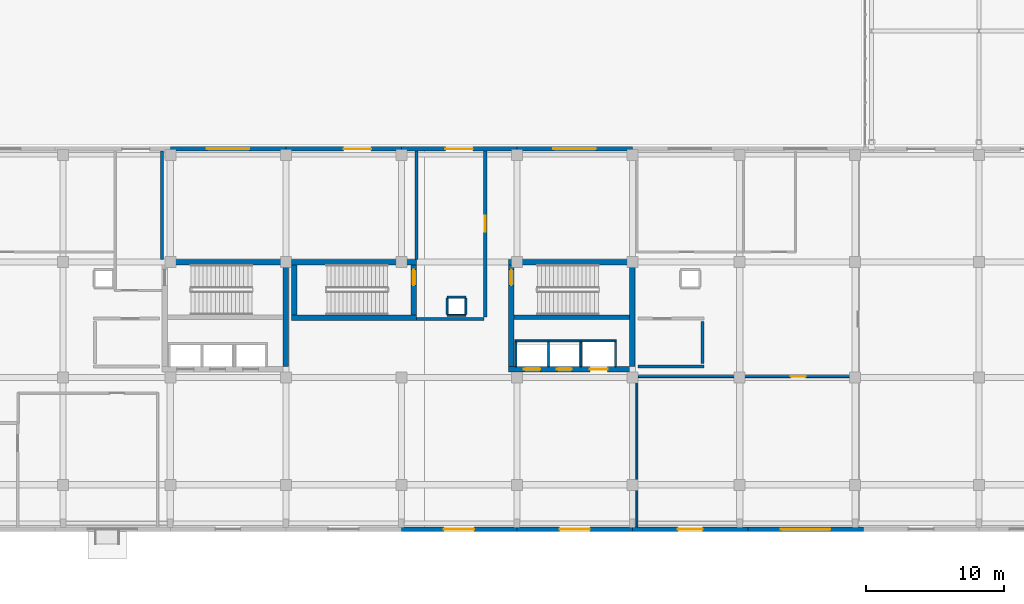
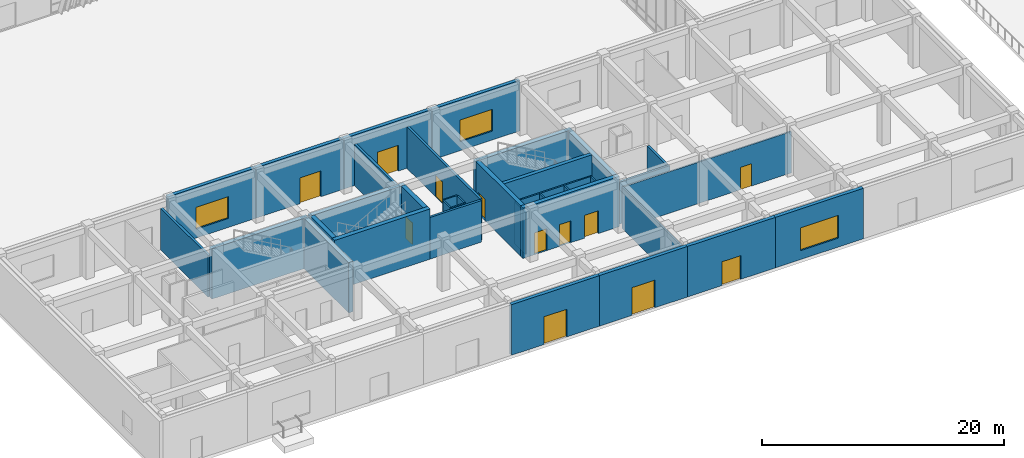
# One storey, part 92 of 122: 36 walls, 12 doors, 3 windows, 15 openings.
"""IFC4 building model written with IfcOpenShell, lengths in metres."""

import ifcopenshell
import ifcopenshell.guid

model = None  # the IFC model being written
_history = None  # IfcOwnerHistory: only IFC2X3 demands one
_inside = {}  # id of a spatial element -> (the spatial element, [elements in it])
_under = {}  # id of a project, library or spatial element -> (it, [spatial elements below it])
_declared = {}  # id of a project -> (the project, [libraries it declares])
_typed = {}  # id of a type object -> (the type object, [elements of that type])
_made_of = {}  # id of a material, layer set ... -> (it, [elements and type objects made of it])


def new_model(schema):
    """Start an empty IFC model of exactly this schema.

    Asked for "IFC4X3", IfcOpenShell would pick the latest addendum, in which some entities
    have other attributes; the version numbers below select the first issue.
    IFC2X3 requires an IfcOwnerHistory on every rooted entity: one is made here for all.
    """
    global model, _history
    if schema == "IFC4X3":
        model = ifcopenshell.file(schema_version=(4, 3, 0, 0))
    else:
        model = ifcopenshell.file(schema=schema)
    _inside.clear()
    _under.clear()
    _declared.clear()
    _typed.clear()
    _made_of.clear()
    _history = None
    if model.schema == "IFC2X3":
        org = make("IfcOrganization", Name="unknown")
        user = make(
            "IfcPersonAndOrganization",
            ThePerson=make("IfcPerson", FamilyName="unknown"),
            TheOrganization=org,
        )
        app = make(
            "IfcApplication",
            ApplicationDeveloper=org,
            Version="unknown",
            ApplicationFullName="unknown",
            ApplicationIdentifier="unknown",
        )
        _history = make(
            "IfcOwnerHistory",
            OwningUser=user,
            OwningApplication=app,
            ChangeAction="ADDED",
            CreationDate=0,
        )
    return model


def make(cls, **values):
    """One entity of the class cls with the attributes given. An attribute that is None is left unset."""
    return model.create_entity(
        cls, **{name: value for name, value in values.items() if value is not None}
    )


def rooted(cls, **values):
    """An entity with a GlobalId (a new one), such as an element, a storey or a relation."""
    return make(cls, GlobalId=ifcopenshell.guid.new(), OwnerHistory=_history, **values)


def si_unit(unit_type, name, prefix=None):
    """IfcSIUnit, for example si_unit("LENGTHUNIT", "METRE", prefix="MILLI")."""
    return make("IfcSIUnit", UnitType=unit_type, Prefix=prefix, Name=name)


def assignment(units):
    """IfcUnitAssignment: the units of a project."""
    return None if units is None else make("IfcUnitAssignment", Units=units)


def point(xyz):
    """IfcCartesianPoint."""
    return None if xyz is None else make("IfcCartesianPoint", Coordinates=xyz)


def direction(xyz):
    """IfcDirection."""
    return None if xyz is None else make("IfcDirection", DirectionRatios=xyz)


def frame(location, z_axis=None, x_axis=None):
    """IfcAxis2Placement3D, a coordinate frame: its origin and axes. An axis left out is left unset."""
    return make(
        "IfcAxis2Placement3D",
        Location=point(location),
        Axis=direction(z_axis),
        RefDirection=direction(x_axis),
    )


def frame_2d(location, x_axis=None):
    """IfcAxis2Placement2D, a coordinate frame in the plane: its origin and x axis."""
    return make(
        "IfcAxis2Placement2D", Location=point(location), RefDirection=direction(x_axis)
    )


def origin():
    """The frame at (0, 0, 0) with its axes left unset."""
    return frame((0.0, 0.0, 0.0))


def place(relative_to, where):
    """IfcLocalPlacement: puts the frame where relative to a parent placement (None: the world)."""
    return make(
        "IfcLocalPlacement", PlacementRelTo=relative_to, RelativePlacement=where
    )


def context(
    kind, dimensions, precision=None, world=None, true_north=None, identifier=None
):
    """IfcGeometricRepresentationContext, for example the 3D "Model" context."""
    return make(
        "IfcGeometricRepresentationContext",
        ContextIdentifier=identifier,
        ContextType=kind,
        CoordinateSpaceDimension=dimensions,
        Precision=precision,
        WorldCoordinateSystem=world,
        TrueNorth=true_north,
    )


def subcontext(parent, identifier, kind, view, scale=None):
    """IfcGeometricRepresentationSubContext, for example "Body" below "Model"."""
    return make(
        "IfcGeometricRepresentationSubContext",
        ContextIdentifier=identifier,
        ContextType=kind,
        ParentContext=parent,
        TargetScale=scale,
        TargetView=view,
    )


def project(units=None, contexts=None):
    """IfcProject with its units and contexts."""
    return rooted(
        "IfcProject",
        Name="project",
        RepresentationContexts=contexts,
        UnitsInContext=assignment(units),
    )


def spatial(cls, under=None, at=None, **own):
    """A site, building, storey or space (cls), placed at a placement, below another one or the project."""
    s = rooted(cls, ObjectPlacement=at, **own)
    if under is not None:
        _under.setdefault(under.id(), (under, []))[1].append(s)
    return s


def profile(cls, at=None, kind="AREA", **sizes):
    """A parametric profile (cls). Its sizes go by their IFC names, for example OverallWidth=200.0."""
    return make(cls, ProfileType=kind, Position=at, **sizes)


def rectangle(**sizes):
    """IfcRectangleProfileDef."""
    return profile("IfcRectangleProfileDef", **sizes)


def extrude(swept, where, along, depth):
    """IfcExtrudedAreaSolid: the profile swept, set in the frame where, extruded along a direction by depth."""
    return make(
        "IfcExtrudedAreaSolid",
        SweptArea=swept,
        Position=where,
        ExtrudedDirection=direction(along),
        Depth=depth,
    )


def shape(context_of_items, identifier, shape_type, items):
    """IfcShapeRepresentation: the items that make up one representation, for example the "Body"."""
    return make(
        "IfcShapeRepresentation",
        ContextOfItems=context_of_items,
        RepresentationIdentifier=identifier,
        RepresentationType=shape_type,
        Items=items,
    )


def material(Name=None, Category=None):
    """IfcMaterial."""
    return make("IfcMaterial", Name=Name, Category=Category)


def layer(
    of_material, thickness, ventilated=None, Name=None, Category=None, Priority=None
):
    """IfcMaterialLayer: one layer of a wall or slab, of a material (None: an air gap)."""
    return make(
        "IfcMaterialLayer",
        Material=of_material,
        LayerThickness=thickness,
        IsVentilated=ventilated,
        Name=Name,
        Category=Category,
        Priority=Priority,
    )


def layer_set(layers, Name=None):
    """IfcMaterialLayerSet."""
    return make("IfcMaterialLayerSet", MaterialLayers=layers, LayerSetName=Name)


def made_of(thing, what):
    """Note that an element or type object is made of a material, layer set ...; save() writes the relation."""
    if what is not None:
        _made_of.setdefault(what.id(), (what, []))[1].append(thing)
    return thing


def type_object(cls, material=None, **own):
    """A type object (cls), such as IfcWallType, which elements share."""
    return made_of(rooted(cls, **own), material)


def element(
    cls,
    number,
    at=None,
    inside=None,
    cuts=None,
    type_object=None,
    material=None,
    context=None,
    identifier="Body",
    shape_type=None,
    held_by="IfcProductDefinitionShape",
    body=None,
    shapes=None,
    **own,
):
    """One element of the class cls, such as IfcWall. Its Tag is "e" and its number.

    at: its placement. inside: the storey or other place that contains it. cuts: it is an
    opening in that element (IfcRelVoidsElement). A single representation is given by context,
    identifier, shape_type and body (its items); several are given by shapes. held_by: the class
    of the entity that holds the representations. save() writes the other relations.
    """
    e = rooted(cls, Tag="e%d" % number, ObjectPlacement=at, **own)
    if body is not None:
        shapes = [shape(context, identifier, shape_type, body)]
    if shapes is not None:
        e.Representation = make(held_by, Representations=shapes)
    if inside is not None:
        _inside.setdefault(inside.id(), (inside, []))[1].append(e)
    if cuts is not None:
        rooted(
            "IfcRelVoidsElement", RelatingBuildingElement=cuts, RelatedOpeningElement=e
        )
    if type_object is not None:
        _typed.setdefault(type_object.id(), (type_object, []))[1].append(e)
    return made_of(e, material)


def fill(opening, filler):
    """IfcRelFillsElement: the door or window that sits in an opening."""
    return rooted(
        "IfcRelFillsElement",
        RelatingOpeningElement=opening,
        RelatedBuildingElement=filler,
    )


def aggregate(whole, parts):
    """IfcRelAggregates: a whole, such as a stair, and the parts it consists of."""
    return rooted("IfcRelAggregates", RelatingObject=whole, RelatedObjects=parts)


def save(model, path):
    """Write the relations noted so far, then the file.

    IfcRelAggregates (storeys below a building ...), IfcRelContainedInSpatialStructure (elements
    in a storey), IfcRelDefinesByType, IfcRelAssociatesMaterial and IfcRelDeclares: one each for
    every whole, place, type object, material and project.
    """
    for whole, parts in _under.values():
        aggregate(whole, parts)
    for where, things in _inside.values():
        rooted(
            "IfcRelContainedInSpatialStructure",
            RelatedElements=things,
            RelatingStructure=where,
        )
    for kind, things in _typed.values():
        rooted("IfcRelDefinesByType", RelatedObjects=things, RelatingType=kind)
    for what, things in _made_of.values():
        rooted("IfcRelAssociatesMaterial", RelatedObjects=things, RelatingMaterial=what)
    for by, libraries in _declared.values():
        rooted("IfcRelDeclares", RelatingContext=by, RelatedDefinitions=libraries)
    model.write(path)


model = new_model("IFC4")

# Units and contexts
model_context = context("Model", 3, precision=1e-05, world=origin(), true_north=direction((0.0, 1.0)))
body_context = subcontext(model_context, "Body", "Model", "MODEL_VIEW")
ifc_project = project(units=[si_unit("LENGTHUNIT", "METRE"), si_unit("AREAUNIT", "SQUARE_METRE"), si_unit("VOLUMEUNIT", "CUBIC_METRE"), si_unit("PLANEANGLEUNIT", "RADIAN"), si_unit("MASSUNIT", "GRAM", prefix="KILO")], contexts=[model_context])

# Site, building, storey
site_placement = place(None, origin())
site = spatial("IfcSite", under=ifc_project, at=site_placement, CompositionType="ELEMENT")
building_placement = place(site_placement, origin())
building = spatial("IfcBuilding", under=site, at=building_placement, Name="Zayran Congress Hotel", CompositionType="ELEMENT")
storey_placement = place(building_placement, origin())
storey = spatial("IfcBuildingStorey", under=building, at=storey_placement, Name="L00", CompositionType="ELEMENT", Elevation=0.0)

# Wall, opening, window
ifc_material_1 = material(Name="Hajar Ma'ani limestone and insulated concrete C32/40", Category="masonry")
ifc_layer_1 = layer(ifc_material_1, 0.340087890625)
ifc_layer_set_1 = layer_set([ifc_layer_1], Name="Hajar Ma'ani limestone and insulated concrete C32/40")
wall_type_1 = type_object("IfcWallType", Name="WL-EX-340", PredefinedType="SOLIDWALL", material=ifc_layer_set_1)
wall_1_placement = place(storey_placement, frame((25.199951171875, 33.830078125, 0.0), z_axis=(0.0, 0.0, 1.0), x_axis=(1.0, 0.0, 0.0)))
wall_1 = element("IfcWall", 1, at=wall_1_placement, inside=storey, type_object=wall_type_1, Name="EW-V5-N-L00-2", PredefinedType="SOLIDWALL", context=body_context, shape_type="SweptSolid", body=[
    extrude(rectangle(XDim=8.400146484375, YDim=0.340087890625, at=frame_2d((4.2001953125, 0.0))), origin(), (0.0, 0.0, 1.0), 5.10009765625),
])
opening_1_placement = place(wall_1_placement, frame((2.64990234375, 0.0, 0.89990234375)))
opening_1 = element("IfcOpeningElement", 2, at=opening_1_placement, cuts=wall_1, Name="Opening WN-20", PredefinedType="OPENING", context=body_context, shape_type="SweptSolid", body=[
    extrude(rectangle(XDim=3.10009765625, YDim=2.199951171875, at=frame_2d((1.550048828125, 1.10009765625))), frame((0.0, 0.179931640625, 0.0), z_axis=(0.0, -1.0, 0.0), x_axis=(1.0, 0.0, 0.0)), (0.0, 0.0, 1.0), 0.360107421875),
])
ifc_material_2 = material(Name="Anodised aluminium and low-E insulated glass", Category="aluminium")
window_type_1 = type_object("IfcWindowType", Name="TP-WN-20", PartitioningType="TRIPLE_PANEL_VERTICAL", PredefinedType="WINDOW", material=ifc_material_2)
window_1_placement = place(opening_1_placement, origin())
window_1 = element("IfcWindow", 3, at=window_1_placement, inside=storey, type_object=window_type_1, Name="WIN-V5-L00N-2", OverallHeight=2.199951171875, OverallWidth=3.10009765625, PartitioningType="SINGLE_PANEL", PredefinedType="WINDOW", context=body_context, shape_type="SweptSolid", body=[
    extrude(rectangle(XDim=3.10009765625, YDim=2.199951171875, at=frame_2d((1.550048828125, 1.10009765625))), frame((0.0, 0.030029296875, 0.0), z_axis=(0.0, -1.0, 0.0), x_axis=(1.0, 0.0, 0.0)), (0.0, 0.0, 1.0), 0.06005859375),
])
fill(opening_1, window_1)

# Wall, opening, door
wall_2_placement = place(storey_placement, frame((33.60009765625, 33.830078125, 0.0), z_axis=(0.0, 0.0, 1.0), x_axis=(1.0, 0.0, 0.0)))
wall_2 = element("IfcWall", 4, at=wall_2_placement, inside=storey, type_object=wall_type_1, Name="EW-V5-N-L00-3", PredefinedType="SOLIDWALL", context=body_context, shape_type="SweptSolid", body=[
    extrude(rectangle(XDim=8.39990234375, YDim=0.340087890625, at=frame_2d((4.199951171875, 0.0))), origin(), (0.0, 0.0, 1.0), 5.10009765625),
])
opening_2_placement = place(wall_2_placement, frame((4.199951171875, 0.0, 0.0)))
opening_2 = element("IfcOpeningElement", 5, at=opening_2_placement, cuts=wall_2, Name="Opening DEX-02", PredefinedType="OPENING", context=body_context, shape_type="SweptSolid", body=[
    extrude(rectangle(XDim=2.0, YDim=2.60009765625, at=frame_2d((1.0, 1.300048828125))), frame((0.0, 0.179931640625, 0.0), z_axis=(0.0, -1.0, 0.0), x_axis=(1.0, 0.0, 0.0)), (0.0, 0.0, 1.0), 0.360107421875),
])
ifc_material_3 = material(Name="Anodised aluminium glazed entrance door", Category="aluminium")
door_type_1 = type_object("IfcDoorType", Name="TP-DEX-02", OperationType="DOUBLE_DOOR_SINGLE_SWING", PredefinedType="DOOR", material=ifc_material_3)
door_1_placement = place(opening_2_placement, origin())
door_1 = element("IfcDoor", 6, at=door_1_placement, inside=storey, type_object=door_type_1, Name="Hotel Forecourt Exit Door 37", OperationType="DOUBLE_DOOR_SINGLE_SWING", OverallHeight=2.60009765625, OverallWidth=2.0, PredefinedType="DOOR", context=body_context, shape_type="SweptSolid", body=[
    extrude(rectangle(XDim=2.0, YDim=2.60009765625, at=frame_2d((1.0, 1.300048828125))), frame((0.0, 0.02490234375, 0.0), z_axis=(0.0, -1.0, 0.0), x_axis=(1.0, 0.0, 0.0)), (0.0, 0.0, 1.0), 0.050048828125),
])
fill(opening_2, door_1)

wall_3_placement = place(storey_placement, frame((50.39990234375, 6.169921875, 0.0), z_axis=(0.0, 0.0, 1.0), x_axis=(-1.0, 0.0, 0.0)))
wall_3 = element("IfcWall", 7, at=wall_3_placement, inside=storey, type_object=wall_type_1, Name="EW-V5-S-L00-4", PredefinedType="SOLIDWALL", context=body_context, shape_type="SweptSolid", body=[
    extrude(rectangle(XDim=8.39990234375, YDim=0.340087890625, at=frame_2d((4.199951171875, 0.0))), origin(), (0.0, 0.0, 1.0), 5.10009765625),
])
opening_3_placement = place(wall_3_placement, frame((3.10009765625, 0.0, 0.0)))
opening_3 = element("IfcOpeningElement", 8, at=opening_3_placement, cuts=wall_3, Name="Opening DEX-01", PredefinedType="OPENING", context=body_context, shape_type="SweptSolid", body=[
    extrude(rectangle(XDim=2.199951171875, YDim=2.800048828125, at=frame_2d((1.10009765625, 1.39990234375))), frame((0.0, 0.179931640625, 0.0), z_axis=(0.0, -1.0, 0.0), x_axis=(1.0, 0.0, 0.0)), (0.0, 0.0, 1.0), 0.360107421875),
])
door_type_2 = type_object("IfcDoorType", Name="TP-DEX-01", OperationType="DOUBLE_DOOR_SINGLE_SWING", PredefinedType="DOOR", material=ifc_material_3)
door_2_placement = place(opening_3_placement, origin())
door_2 = element("IfcDoor", 9, at=door_2_placement, inside=storey, type_object=door_type_2, Name="Hotel South Avenue Final Exit Door 38", OperationType="DOUBLE_DOOR_SINGLE_SWING", OverallHeight=2.800048828125, OverallWidth=2.199951171875, PredefinedType="DOOR", context=body_context, shape_type="SweptSolid", body=[
    extrude(rectangle(XDim=2.199951171875, YDim=2.800048828125, at=frame_2d((1.10009765625, 1.39990234375))), frame((0.0, 0.02490234375, 0.0), z_axis=(0.0, -1.0, 0.0), x_axis=(1.0, 0.0, 0.0)), (0.0, 0.0, 1.0), 0.050048828125),
])
fill(opening_3, door_2)

wall_4_placement = place(storey_placement, frame((42.0, 33.830078125, 0.0), z_axis=(0.0, 0.0, 1.0), x_axis=(1.0, 0.0, 0.0)))
wall_4 = element("IfcWall", 10, at=wall_4_placement, inside=storey, type_object=wall_type_1, Name="EW-V5-N-L00-4", PredefinedType="SOLIDWALL", context=body_context, shape_type="SweptSolid", body=[
    extrude(rectangle(XDim=8.39990234375, YDim=0.340087890625, at=frame_2d((4.199951171875, 0.0))), origin(), (0.0, 0.0, 1.0), 5.10009765625),
])
opening_4_placement = place(wall_4_placement, frame((3.199951171875, 0.0, 0.0)))
opening_4 = element("IfcOpeningElement", 11, at=opening_4_placement, cuts=wall_4, Name="Opening DEX-02", PredefinedType="OPENING", context=body_context, shape_type="SweptSolid", body=[
    extrude(rectangle(XDim=2.0, YDim=2.60009765625, at=frame_2d((1.0, 1.300048828125))), frame((0.0, 0.179931640625, 0.0), z_axis=(0.0, -1.0, 0.0), x_axis=(1.0, 0.0, 0.0)), (0.0, 0.0, 1.0), 0.360107421875),
])
door_3_placement = place(opening_4_placement, origin())
door_3 = element("IfcDoor", 12, at=door_3_placement, inside=storey, type_object=door_type_1, Name="Hotel Forecourt Exit Door 39", OperationType="DOUBLE_DOOR_SINGLE_SWING", OverallHeight=2.60009765625, OverallWidth=2.0, PredefinedType="DOOR", context=body_context, shape_type="SweptSolid", body=[
    extrude(rectangle(XDim=2.0, YDim=2.60009765625, at=frame_2d((1.0, 1.300048828125))), frame((0.0, 0.02490234375, 0.0), z_axis=(0.0, -1.0, 0.0), x_axis=(1.0, 0.0, 0.0)), (0.0, 0.0, 1.0), 0.050048828125),
])
fill(opening_4, door_3)

wall_5_placement = place(storey_placement, frame((58.800048828125, 6.169921875, 0.0), z_axis=(0.0, 0.0, 1.0), x_axis=(-1.0, 0.0, 0.0)))
wall_5 = element("IfcWall", 13, at=wall_5_placement, inside=storey, type_object=wall_type_1, Name="EW-V5-S-L00-5", PredefinedType="SOLIDWALL", context=body_context, shape_type="SweptSolid", body=[
    extrude(rectangle(XDim=8.400146484375, YDim=0.340087890625, at=frame_2d((4.2001953125, 0.0))), origin(), (0.0, 0.0, 1.0), 5.10009765625),
])
opening_5_placement = place(wall_5_placement, frame((3.10009765625, 0.0, 0.0)))
opening_5 = element("IfcOpeningElement", 14, at=opening_5_placement, cuts=wall_5, Name="Opening DEX-01", PredefinedType="OPENING", context=body_context, shape_type="SweptSolid", body=[
    extrude(rectangle(XDim=2.199951171875, YDim=2.800048828125, at=frame_2d((1.10009765625, 1.39990234375))), frame((0.0, 0.179931640625, 0.0), z_axis=(0.0, -1.0, 0.0), x_axis=(1.0, 0.0, 0.0)), (0.0, 0.0, 1.0), 0.360107421875),
])
door_4_placement = place(opening_5_placement, origin())
door_4 = element("IfcDoor", 15, at=door_4_placement, inside=storey, type_object=door_type_2, Name="Hotel South Avenue Final Exit Door 40", OperationType="DOUBLE_DOOR_SINGLE_SWING", OverallHeight=2.800048828125, OverallWidth=2.199951171875, PredefinedType="DOOR", context=body_context, shape_type="SweptSolid", body=[
    extrude(rectangle(XDim=2.199951171875, YDim=2.800048828125, at=frame_2d((1.10009765625, 1.39990234375))), frame((0.0, 0.02490234375, 0.0), z_axis=(0.0, -1.0, 0.0), x_axis=(1.0, 0.0, 0.0)), (0.0, 0.0, 1.0), 0.050048828125),
])
fill(opening_5, door_4)

# Wall, opening, window
wall_6_placement = place(storey_placement, frame((50.39990234375, 33.830078125, 0.0), z_axis=(0.0, 0.0, 1.0), x_axis=(1.0, 0.0, 0.0)))
wall_6 = element("IfcWall", 16, at=wall_6_placement, inside=storey, type_object=wall_type_1, Name="EW-V5-N-L00-5", PredefinedType="SOLIDWALL", context=body_context, shape_type="SweptSolid", body=[
    extrude(rectangle(XDim=8.400146484375, YDim=0.340087890625, at=frame_2d((4.2001953125, 0.0))), origin(), (0.0, 0.0, 1.0), 5.10009765625),
])
opening_6_placement = place(wall_6_placement, frame((2.64990234375, 0.0, 0.89990234375)))
opening_6 = element("IfcOpeningElement", 17, at=opening_6_placement, cuts=wall_6, Name="Opening WN-20", PredefinedType="OPENING", context=body_context, shape_type="SweptSolid", body=[
    extrude(rectangle(XDim=3.10009765625, YDim=2.199951171875, at=frame_2d((1.550048828125, 1.10009765625))), frame((0.0, 0.179931640625, 0.0), z_axis=(0.0, -1.0, 0.0), x_axis=(1.0, 0.0, 0.0)), (0.0, 0.0, 1.0), 0.360107421875),
])
window_2_placement = place(opening_6_placement, origin())
window_2 = element("IfcWindow", 18, at=window_2_placement, inside=storey, type_object=window_type_1, Name="WIN-V5-L00N-5", OverallHeight=2.199951171875, OverallWidth=3.10009765625, PartitioningType="SINGLE_PANEL", PredefinedType="WINDOW", context=body_context, shape_type="SweptSolid", body=[
    extrude(rectangle(XDim=3.10009765625, YDim=2.199951171875, at=frame_2d((1.550048828125, 1.10009765625))), frame((0.0, 0.030029296875, 0.0), z_axis=(0.0, -1.0, 0.0), x_axis=(1.0, 0.0, 0.0)), (0.0, 0.0, 1.0), 0.06005859375),
])
fill(opening_6, window_2)

# Wall, opening, door
wall_7_placement = place(storey_placement, frame((67.199951171875, 6.169921875, 0.0), z_axis=(0.0, 0.0, 1.0), x_axis=(-1.0, 0.0, 0.0)))
wall_7 = element("IfcWall", 19, at=wall_7_placement, inside=storey, type_object=wall_type_1, Name="EW-V5-S-L00-6", PredefinedType="SOLIDWALL", context=body_context, shape_type="SweptSolid", body=[
    extrude(rectangle(XDim=8.39990234375, YDim=0.340087890625, at=frame_2d((4.199951171875, 0.0))), origin(), (0.0, 0.0, 1.0), 5.10009765625),
])
opening_7_placement = place(wall_7_placement, frame((3.300048828125, 0.0, 0.0)))
opening_7 = element("IfcOpeningElement", 20, at=opening_7_placement, cuts=wall_7, Name="Opening DEX-03", PredefinedType="OPENING", context=body_context, shape_type="SweptSolid", body=[
    extrude(rectangle(XDim=1.800048828125, YDim=2.39990234375, at=frame_2d((0.89990234375, 1.199951171875))), frame((0.0, 0.179931640625, 0.0), z_axis=(0.0, -1.0, 0.0), x_axis=(1.0, 0.0, 0.0)), (0.0, 0.0, 1.0), 0.360107421875),
])
ifc_material_4 = material(Name="Painted steel fire exit door assembly", Category="steel")
door_type_3 = type_object("IfcDoorType", Name="TP-DEX-03", OperationType="DOUBLE_DOOR_SINGLE_SWING", PredefinedType="DOOR", material=ifc_material_4)
door_5_placement = place(opening_7_placement, origin())
door_5 = element("IfcDoor", 21, at=door_5_placement, inside=storey, type_object=door_type_3, Name="Hotel South Avenue Final Exit Door 41", OperationType="DOUBLE_DOOR_SINGLE_SWING", OverallHeight=2.39990234375, OverallWidth=1.800048828125, PredefinedType="DOOR", context=body_context, shape_type="SweptSolid", body=[
    extrude(rectangle(XDim=1.800048828125, YDim=2.39990234375, at=frame_2d((0.89990234375, 1.199951171875))), frame((0.0, 0.02490234375, 0.0), z_axis=(0.0, -1.0, 0.0), x_axis=(1.0, 0.0, 0.0)), (0.0, 0.0, 1.0), 0.050048828125),
])
fill(opening_7, door_5)

# Wall, opening, window
wall_8_placement = place(storey_placement, frame((75.60009765625, 6.169921875, 0.0), z_axis=(0.0, 0.0, 1.0), x_axis=(-1.0, 0.0, 0.0)))
wall_8 = element("IfcWall", 22, at=wall_8_placement, inside=storey, type_object=wall_type_1, Name="EW-V5-S-L00-7", PredefinedType="SOLIDWALL", context=body_context, shape_type="SweptSolid", body=[
    extrude(rectangle(XDim=8.400146484375, YDim=0.340087890625, at=frame_2d((4.2001953125, 0.0))), origin(), (0.0, 0.0, 1.0), 5.10009765625),
])
opening_8_placement = place(wall_8_placement, frame((2.39990234375, 0.0, 0.89990234375)))
opening_8 = element("IfcOpeningElement", 23, at=opening_8_placement, cuts=wall_8, Name="Opening WN-21", PredefinedType="OPENING", context=body_context, shape_type="SweptSolid", body=[
    extrude(rectangle(XDim=3.60009765625, YDim=2.300048828125, at=frame_2d((1.800048828125, 1.14990234375))), frame((0.0, 0.179931640625, 0.0), z_axis=(0.0, -1.0, 0.0), x_axis=(1.0, 0.0, 0.0)), (0.0, 0.0, 1.0), 0.360107421875),
])
window_type_2 = type_object("IfcWindowType", Name="TP-WN-21", PartitioningType="TRIPLE_PANEL_VERTICAL", PredefinedType="WINDOW", material=ifc_material_2)
window_3_placement = place(opening_8_placement, origin())
window_3 = element("IfcWindow", 24, at=window_3_placement, inside=storey, type_object=window_type_2, Name="WIN-V5-L00S-7", OverallHeight=2.300048828125, OverallWidth=3.60009765625, PartitioningType="SINGLE_PANEL", PredefinedType="WINDOW", context=body_context, shape_type="SweptSolid", body=[
    extrude(rectangle(XDim=3.60009765625, YDim=2.300048828125, at=frame_2d((1.800048828125, 1.14990234375))), frame((0.0, 0.030029296875, 0.0), z_axis=(0.0, -1.0, 0.0), x_axis=(1.0, 0.0, 0.0)), (0.0, 0.0, 1.0), 0.06005859375),
])
fill(opening_8, window_3)

# Walls
ifc_material_5 = material(Name="Concrete C40/50", Category="concrete")
ifc_layer_2 = layer(ifc_material_5, 0.39990234375)
ifc_layer_set_2 = layer_set([ifc_layer_2], Name="Concrete C40/50")
wall_type_2 = type_object("IfcWallType", Name="WL-SH-400", PredefinedType="SHEAR", material=ifc_layer_set_2)
wall_9_placement = place(storey_placement, frame((33.800048828125, 25.5849609375, 0.0), z_axis=(0.0, 0.0, 1.0), x_axis=(-1.0, 0.0, 0.0)))
element("IfcWall", 25, at=wall_9_placement, inside=storey, type_object=wall_type_2, Name="CWALL-C-V5W-L00-N", PredefinedType="SHEAR", context=body_context, shape_type="SweptSolid", body=[
    extrude(rectangle(XDim=9.199951171875, YDim=0.39990234375, at=frame_2d((4.60009765625, 0.0))), origin(), (0.0, 0.0, 1.0), 5.080078125),
])
wall_10_placement = place(storey_placement, frame((33.60009765625, 18.0, 0.0), z_axis=(0.0, 0.0, 1.0), x_axis=(0.0, 1.0, 0.0)))
element("IfcWall", 26, at=wall_10_placement, inside=storey, type_object=wall_type_2, Name="CWALL-C-V5W-L00-E", PredefinedType="SHEAR", context=body_context, shape_type="SweptSolid", body=[
    extrude(rectangle(XDim=7.39990234375, YDim=0.39990234375, at=frame_2d((3.699951171875, 0.0))), origin(), (0.0, 0.0, 1.0), 5.080078125),
])

# Wall, openings, doors
wall_11_placement = place(storey_placement, frame((49.800048828125, 17.800048828125, 0.0), z_axis=(0.0, 0.0, 1.0), x_axis=(1.0, 0.0, 0.0)))
wall_11 = element("IfcWall", 27, at=wall_11_placement, inside=storey, type_object=wall_type_2, Name="CWALL-C-V5E-L00-S", PredefinedType="SHEAR", context=body_context, shape_type="SweptSolid", body=[
    extrude(rectangle(XDim=9.199951171875, YDim=0.39990234375, at=frame_2d((4.60009765625, 0.0))), origin(), (0.0, 0.0, 1.0), 5.080078125),
])
opening_9_placement = place(wall_11_placement, frame((1.10009765625, 0.0, 0.0)))
opening_9 = element("IfcOpeningElement", 28, at=opening_9_placement, cuts=wall_11, Name="Opening LD-FL02", PredefinedType="OPENING", context=body_context, shape_type="SweptSolid", body=[
    extrude(rectangle(XDim=1.199951171875, YDim=2.199951171875, at=frame_2d((0.60009765625, 1.10009765625))), frame((0.0, 0.2099609375, 0.0), z_axis=(0.0, -1.0, 0.0), x_axis=(1.0, 0.0, 0.0)), (0.0, 0.0, 1.0), 0.419921875),
])
opening_10_placement = place(wall_11_placement, frame((3.5, 0.0, 0.0)))
opening_10 = element("IfcOpeningElement", 29, at=opening_10_placement, cuts=wall_11, Name="Opening LD-PL03", PredefinedType="OPENING", context=body_context, shape_type="SweptSolid", body=[
    extrude(rectangle(XDim=1.10009765625, YDim=2.199951171875, at=frame_2d((0.550048828125, 1.10009765625))), frame((0.0, 0.2099609375, 0.0), z_axis=(0.0, -1.0, 0.0), x_axis=(1.0, 0.0, 0.0)), (0.0, 0.0, 1.0), 0.419921875),
])
opening_11_placement = place(wall_11_placement, frame((5.89990234375, 0.0, 0.0)))
opening_11 = element("IfcOpeningElement", 30, at=opening_11_placement, cuts=wall_11, Name="Opening LD-SV01", PredefinedType="OPENING", context=body_context, shape_type="SweptSolid", body=[
    extrude(rectangle(XDim=1.300048828125, YDim=2.300048828125, at=frame_2d((0.64990234375, 1.14990234375))), frame((0.0, 0.2099609375, 0.0), z_axis=(0.0, -1.0, 0.0), x_axis=(1.0, 0.0, 0.0)), (0.0, 0.0, 1.0), 0.419921875),
])
ifc_material_6 = material(Name="Brushed stainless steel sliding lift landing door", Category="steel")
door_type_4 = type_object("IfcDoorType", Name="TP-DR-LD-01", OperationType="DOUBLE_DOOR_SLIDING", PredefinedType="DOOR", material=ifc_material_6)
door_6_placement = place(opening_10_placement, origin())
door_6 = element("IfcDoor", 31, at=door_6_placement, inside=storey, type_object=door_type_4, Name="Lift PL-03 Sliding Landing Door L00", OperationType="DOUBLE_DOOR_SLIDING", OverallHeight=2.199951171875, OverallWidth=1.10009765625, PredefinedType="DOOR", context=body_context, shape_type="SweptSolid", body=[
    extrude(rectangle(XDim=1.10009765625, YDim=2.199951171875, at=frame_2d((0.550048828125, 1.10009765625))), frame((0.0, 0.02490234375, 0.0), z_axis=(0.0, -1.0, 0.0), x_axis=(1.0, 0.0, 0.0)), (0.0, 0.0, 1.0), 0.050048828125),
])
fill(opening_10, door_6)
ifc_material_7 = material(Name="Brushed stainless steel firefighting lift landing door", Category="steel")
door_type_5 = type_object("IfcDoorType", Name="TP-DR-LD-02", OperationType="DOUBLE_DOOR_SLIDING", PredefinedType="DOOR", material=ifc_material_7)
door_7_placement = place(opening_9_placement, origin())
door_7 = element("IfcDoor", 32, at=door_7_placement, inside=storey, type_object=door_type_5, Name="Lift FL-02 Sliding Landing Door L00", OperationType="DOUBLE_DOOR_SLIDING", OverallHeight=2.199951171875, OverallWidth=1.199951171875, PredefinedType="DOOR", context=body_context, shape_type="SweptSolid", body=[
    extrude(rectangle(XDim=1.199951171875, YDim=2.199951171875, at=frame_2d((0.60009765625, 1.10009765625))), frame((0.0, 0.02490234375, 0.0), z_axis=(0.0, -1.0, 0.0), x_axis=(1.0, 0.0, 0.0)), (0.0, 0.0, 1.0), 0.050048828125),
])
fill(opening_9, door_7)
ifc_material_8 = material(Name="Heavy-duty stainless steel service lift landing door", Category="steel")
door_type_6 = type_object("IfcDoorType", Name="TP-DR-LD-03", OperationType="DOUBLE_DOOR_SLIDING", PredefinedType="DOOR", material=ifc_material_8)
door_8_placement = place(opening_11_placement, origin())
door_8 = element("IfcDoor", 33, at=door_8_placement, inside=storey, type_object=door_type_6, Name="Lift SV-01 Sliding Landing Door L00", OperationType="DOUBLE_DOOR_SLIDING", OverallHeight=2.300048828125, OverallWidth=1.300048828125, PredefinedType="DOOR", context=body_context, shape_type="SweptSolid", body=[
    extrude(rectangle(XDim=1.300048828125, YDim=2.300048828125, at=frame_2d((0.64990234375, 1.14990234375))), frame((0.0, 0.02490234375, 0.0), z_axis=(0.0, -1.0, 0.0), x_axis=(1.0, 0.0, 0.0)), (0.0, 0.0, 1.0), 0.050048828125),
])
fill(opening_11, door_8)

# Wall
wall_12_placement = place(storey_placement, frame((59.0, 25.5849609375, 0.0), z_axis=(0.0, 0.0, 1.0), x_axis=(-1.0, 0.0, 0.0)))
element("IfcWall", 34, at=wall_12_placement, inside=storey, type_object=wall_type_2, Name="CWALL-C-V5E-L00-N", PredefinedType="SHEAR", context=body_context, shape_type="SweptSolid", body=[
    extrude(rectangle(XDim=9.199951171875, YDim=0.39990234375, at=frame_2d((4.60009765625, 0.0))), origin(), (0.0, 0.0, 1.0), 5.080078125),
])

# Wall, opening, door
wall_13_placement = place(storey_placement, frame((50.0, 25.39990234375, 0.0), z_axis=(0.0, 0.0, 1.0), x_axis=(0.0, -1.0, 0.0)))
wall_13 = element("IfcWall", 35, at=wall_13_placement, inside=storey, type_object=wall_type_2, Name="CWALL-C-V5E-L00-W", PredefinedType="SHEAR", context=body_context, shape_type="SweptSolid", body=[
    extrude(rectangle(XDim=7.39990234375, YDim=0.39990234375, at=frame_2d((3.699951171875, 0.0))), origin(), (0.0, 0.0, 1.0), 5.080078125),
])
opening_12_placement = place(wall_13_placement, frame((0.35009765625, 0.0, 0.0)))
opening_12 = element("IfcOpeningElement", 36, at=opening_12_placement, cuts=wall_13, Name="Opening DR-FD-90", PredefinedType="OPENING", context=body_context, shape_type="SweptSolid", body=[
    extrude(rectangle(XDim=1.14990234375, YDim=2.199951171875, at=frame_2d((0.574951171875, 1.10009765625))), frame((0.0, 0.2099609375, 0.0), z_axis=(0.0, -1.0, 0.0), x_axis=(1.0, 0.0, 0.0)), (0.0, 0.0, 1.0), 0.419921875),
])
ifc_material_9 = material(Name="Painted steel fire door assembly", Category="steel")
door_type_7 = type_object("IfcDoorType", Name="TP-DR-FD-90", OperationType="NOTDEFINED", PredefinedType="DOOR", material=ifc_material_9)
door_9_placement = place(opening_12_placement, origin())
door_9 = element("IfcDoor", 37, at=door_9_placement, inside=storey, type_object=door_type_7, Name="ST-02 Exit Stair Door L00", OperationType="SINGLE_SWING_LEFT", OverallHeight=2.199951171875, OverallWidth=1.14990234375, PredefinedType="DOOR", context=body_context, shape_type="SweptSolid", body=[
    extrude(rectangle(XDim=1.14990234375, YDim=2.199951171875, at=frame_2d((0.574951171875, 1.10009765625))), frame((0.0, 0.02490234375, 0.0), z_axis=(0.0, -1.0, 0.0), x_axis=(1.0, 0.0, 0.0)), (0.0, 0.0, 1.0), 0.050048828125),
])
fill(opening_12, door_9)

# Walls
wall_14_placement = place(storey_placement, frame((58.800048828125, 18.0, 0.0), z_axis=(0.0, 0.0, 1.0), x_axis=(0.0, 1.0, 0.0)))
element("IfcWall", 38, at=wall_14_placement, inside=storey, type_object=wall_type_2, Name="CWALL-C-V5E-L00-E", PredefinedType="SHEAR", context=body_context, shape_type="SweptSolid", body=[
    extrude(rectangle(XDim=7.39990234375, YDim=0.39990234375, at=frame_2d((3.699951171875, 0.0))), origin(), (0.0, 0.0, 1.0), 5.080078125),
])
for number, where, z_axis, x_axis, name in (
    (39, (34.0, 21.56005859375, 0.0), (0.0, 0.0, 1.0), (1.0, 0.0, 0.0), "CWALL-C-V5M-L00-S"),
    (40, (43.10009765625, 25.5849609375, 0.0), (0.0, 0.0, 1.0), (-1.0, 0.0, 0.0), "CWALL-C-V5M-L00-N"),
):
    element("IfcWall", number, at=place(storey_placement, frame(where, z_axis=z_axis, x_axis=x_axis)), inside=storey, type_object=wall_type_2, Name=name, PredefinedType="SHEAR", context=body_context, shape_type="SweptSolid", body=[
        extrude(rectangle(XDim=9.10009765625, YDim=0.39990234375, at=frame_2d((4.550048828125, 0.0))), origin(), (0.0, 0.0, 1.0), 5.080078125),
    ])
wall_15_placement = place(storey_placement, frame((34.199951171875, 25.39990234375, 0.0), z_axis=(0.0, 0.0, 1.0), x_axis=(0.0, -1.0, 0.0)))
element("IfcWall", 41, at=wall_15_placement, inside=storey, type_object=wall_type_2, Name="CWALL-C-V5M-L00-W", PredefinedType="SHEAR", context=body_context, shape_type="SweptSolid", body=[
    extrude(rectangle(XDim=3.639892578125, YDim=0.39990234375, at=frame_2d((1.81982421875, 0.0))), origin(), (0.0, 0.0, 1.0), 5.080078125),
])

# Wall, opening, door
wall_16_placement = place(storey_placement, frame((42.89990234375, 21.760009765625, 0.0), z_axis=(0.0, 0.0, 1.0), x_axis=(0.0, 1.0, 0.0)))
wall_16 = element("IfcWall", 42, at=wall_16_placement, inside=storey, type_object=wall_type_2, Name="CWALL-C-V5M-L00-E", PredefinedType="SHEAR", context=body_context, shape_type="SweptSolid", body=[
    extrude(rectangle(XDim=3.639892578125, YDim=0.39990234375, at=frame_2d((1.81982421875, 0.0))), origin(), (0.0, 0.0, 1.0), 5.080078125),
])
opening_13_placement = place(wall_16_placement, frame((2.139892578125, 0.0, 0.0)))
opening_13 = element("IfcOpeningElement", 43, at=opening_13_placement, cuts=wall_16, Name="Opening DR-FD-90", PredefinedType="OPENING", context=body_context, shape_type="SweptSolid", body=[
    extrude(rectangle(XDim=1.14990234375, YDim=2.199951171875, at=frame_2d((0.574951171875, 1.10009765625))), frame((0.0, 0.2099609375, 0.0), z_axis=(0.0, -1.0, 0.0), x_axis=(1.0, 0.0, 0.0)), (0.0, 0.0, 1.0), 0.419921875),
])
door_10_placement = place(opening_13_placement, origin())
door_10 = element("IfcDoor", 44, at=door_10_placement, inside=storey, type_object=door_type_7, Name="ST-13 Exit Stair Door L00", OperationType="SINGLE_SWING_RIGHT", OverallHeight=2.199951171875, OverallWidth=1.14990234375, PredefinedType="DOOR", context=body_context, shape_type="SweptSolid", body=[
    extrude(rectangle(XDim=1.14990234375, YDim=2.199951171875, at=frame_2d((0.574951171875, 1.10009765625))), frame((0.0, 0.02490234375, 0.0), z_axis=(0.0, -1.0, 0.0), x_axis=(1.0, 0.0, 0.0)), (0.0, 0.0, 1.0), 0.050048828125),
])
fill(opening_13, door_10)

# Walls
ifc_layer_3 = layer(ifc_material_5, 0.35009765625)
ifc_layer_set_3 = layer_set([ifc_layer_3], Name="Concrete C40/50")
wall_type_3 = type_object("IfcWallType", Name="WL-SH-350", PredefinedType="SHEAR", material=ifc_layer_set_3)
wall_17_placement = place(storey_placement, frame((50.199951171875, 21.5849609375, 0.0), z_axis=(0.0, 0.0, 1.0), x_axis=(1.0, 0.0, 0.0)))
element("IfcWall", 45, at=wall_17_placement, inside=storey, type_object=wall_type_3, Name="CWALL-C-V5E-L00-SPN", PredefinedType="SHEAR", context=body_context, shape_type="SweptSolid", body=[
    extrude(rectangle(XDim=8.400146484375, YDim=0.35009765625, at=frame_2d((4.2001953125, 0.0))), origin(), (0.0, 0.0, 1.0), 5.080078125),
])
ifc_material_10 = material(Name="Concrete C32/40 fire wall", Category="concrete")
ifc_layer_4 = layer(ifc_material_10, 0.219970703125)
ifc_layer_set_4 = layer_set([ifc_layer_4], Name="Concrete C32/40 fire wall")
wall_type_4 = type_object("IfcWallType", Name="WL-FF-220", PredefinedType="SOLIDWALL", material=ifc_layer_set_4)
wall_18_placement = place(storey_placement, frame((59.199951171875, 18.0, 0.0), z_axis=(0.0, 0.0, 1.0), x_axis=(1.0, 0.0, 0.0)))
element("IfcWall", 46, at=wall_18_placement, inside=storey, type_object=wall_type_4, Name="FFWL-C-V5E-L00-S", PredefinedType="SOLIDWALL", context=body_context, shape_type="SweptSolid", body=[
    extrude(rectangle(XDim=4.800048828125, YDim=0.219970703125, at=frame_2d((2.39990234375, 0.0))), origin(), (0.0, 0.0, 1.0), 4.22998046875),
])
wall_19_placement = place(storey_placement, frame((63.889892578125, 18.219970703125, 0.0), z_axis=(0.0, 0.0, 1.0), x_axis=(0.0, 1.0, 0.0)))
element("IfcWall", 47, at=wall_19_placement, inside=storey, type_object=wall_type_4, Name="FFWL-C-V5E-L00-SD", PredefinedType="SOLIDWALL", context=body_context, shape_type="SweptSolid", body=[
    extrude(rectangle(XDim=3.06005859375, YDim=0.219970703125, at=frame_2d((1.530029296875, 0.0))), origin(), (0.0, 0.0, 1.0), 4.22998046875),
])
for number, where, z_axis, x_axis, name in (
    (48, (24.60009765625, 25.800048828125, 0.0), (0.0, 0.0, 1.0), (0.0, 1.0, 0.0), "EPW-W-L00-E"),
    (49, (43.10009765625, 25.800048828125, 0.0), (0.0, 0.0, 1.0), (0.0, 1.0, 0.0), "EPW-L00-W"),
):
    element("IfcWall", number, at=place(storey_placement, frame(where, z_axis=z_axis, x_axis=x_axis)), inside=storey, type_object=wall_type_4, Name=name, PredefinedType="SOLIDWALL", context=body_context, shape_type="SweptSolid", body=[
        extrude(rectangle(XDim=7.85986328125, YDim=0.219970703125, at=frame_2d((3.929931640625, 0.0))), origin(), (0.0, 0.0, 1.0), 4.199951171875),
    ])

# Wall, opening, door
wall_20_placement = place(storey_placement, frame((48.10009765625, 21.60009765625, 0.0), z_axis=(0.0, 0.0, 1.0), x_axis=(0.0, 1.0, 0.0)))
wall_20 = element("IfcWall", 50, at=wall_20_placement, inside=storey, type_object=wall_type_4, Name="EPW-L00-E", PredefinedType="SOLIDWALL", context=body_context, shape_type="SweptSolid", body=[
    extrude(rectangle(XDim=12.059814453125, YDim=0.219970703125, at=frame_2d((6.02978515625, 0.0))), origin(), (0.0, 0.0, 1.0), 4.199951171875),
])
opening_14_placement = place(wall_20_placement, frame((6.199951171875, 0.0, 0.0)))
opening_14 = element("IfcOpeningElement", 51, at=opening_14_placement, cuts=wall_20, Name="Opening DR-FD-90", PredefinedType="OPENING", context=body_context, shape_type="SweptSolid", body=[
    extrude(rectangle(XDim=1.14990234375, YDim=2.199951171875, at=frame_2d((0.574951171875, 1.10009765625))), frame((0.0, 0.119873046875, 0.0), z_axis=(0.0, -1.0, 0.0), x_axis=(1.0, 0.0, 0.0)), (0.0, 0.0, 1.0), 0.239990234375),
])
door_11_placement = place(opening_14_placement, origin())
door_11 = element("IfcDoor", 52, at=door_11_placement, inside=storey, type_object=door_type_7, Name="Central Stair Exit Passageway Lobby Fire Door", OperationType="SINGLE_SWING_RIGHT", OverallHeight=2.199951171875, OverallWidth=1.14990234375, PredefinedType="DOOR", context=body_context, shape_type="SweptSolid", body=[
    extrude(rectangle(XDim=1.14990234375, YDim=2.199951171875, at=frame_2d((0.574951171875, 1.10009765625))), frame((0.0, 0.02490234375, 0.0), z_axis=(0.0, -1.0, 0.0), x_axis=(1.0, 0.0, 0.0)), (0.0, 0.0, 1.0), 0.050048828125),
])
fill(opening_14, door_11)

# Walls
wall_21_placement = place(storey_placement, frame((43.10009765625, 21.469970703125, 0.0), z_axis=(0.0, 0.0, 1.0), x_axis=(1.0, 0.0, 0.0)))
element("IfcWall", 53, at=wall_21_placement, inside=storey, type_object=wall_type_4, Name="EPW-L00-S", PredefinedType="SOLIDWALL", context=body_context, shape_type="SweptSolid", body=[
    extrude(rectangle(XDim=4.89990234375, YDim=0.219970703125, at=frame_2d((2.449951171875, 0.0))), origin(), (0.0, 0.0, 1.0), 4.199951171875),
])
ifc_material_11 = material(Name="Hospitality guestroom acoustic partition", Category="gypsum")
ifc_layer_5 = layer(ifc_material_11, 0.139892578125)
ifc_layer_set_5 = layer_set([ifc_layer_5], Name="Hospitality guestroom acoustic partition")
wall_type_5 = type_object("IfcWallType", Name="WL-PT-140", PredefinedType="PARTITIONING", material=ifc_layer_set_5)
for number, where, z_axis, x_axis, name in (
    (54, (50.330078125, 18.0, 0.0), (0.0, 0.0, 1.0), (0.0, 1.0, 0.0), "LSHW-C-V5E-L00-W"),
    (55, (52.699951171875, 18.0, 0.0), (0.0, 0.0, 1.0), (0.0, 1.0, 0.0), "LSHW-C-V5E-L00-DIV1"),
    (56, (55.050048828125, 18.0, 0.0), (0.0, 0.0, 1.0), (0.0, 1.0, 0.0), "LSHW-C-V5E-L00-DIV2"),
    (57, (57.570068359375, 18.0, 0.0), (0.0, 0.0, 1.0), (0.0, 1.0, 0.0), "LSHW-C-V5E-L00-E"),
):
    element("IfcWall", number, at=place(storey_placement, frame(where, z_axis=z_axis, x_axis=x_axis)), inside=storey, type_object=wall_type_5, Name=name, PredefinedType="PARTITIONING", context=body_context, shape_type="SweptSolid", body=[
        extrude(rectangle(XDim=1.800048828125, YDim=0.139892578125, at=frame_2d((0.89990234375, 0.0))), origin(), (0.0, 0.0, 1.0), 4.22998046875),
    ])
wall_22_placement = place(storey_placement, frame((50.260009765625, 19.8701171875, 0.0), z_axis=(0.0, 0.0, 1.0), x_axis=(1.0, 0.0, 0.0)))
element("IfcWall", 58, at=wall_22_placement, inside=storey, type_object=wall_type_5, Name="LSHW-C-V5E-L00-N", PredefinedType="PARTITIONING", context=body_context, shape_type="SweptSolid", body=[
    extrude(rectangle(XDim=7.3798828125, YDim=0.139892578125, at=frame_2d((3.68994140625, 0.0))), origin(), (0.0, 0.0, 1.0), 4.22998046875),
])

# Wall, opening, door
wall_23_placement = place(storey_placement, frame((59.1201171875, 17.27001953125, 0.0), z_axis=(0.0, 0.0, 1.0), x_axis=(1.0, 0.0, 0.0)))
wall_23 = element("IfcWall", 59, at=wall_23_placement, inside=storey, type_object=wall_type_5, Name="IW-L00-0413", PredefinedType="PARTITIONING", context=body_context, shape_type="SweptSolid", body=[
    extrude(rectangle(XDim=16.059814453125, YDim=0.139892578125, at=frame_2d((8.02978515625, 0.0))), origin(), (0.0, 0.0, 1.0), 4.179931640625),
])
opening_15_placement = place(wall_23_placement, frame((11.199951171875, 0.0, 0.0)))
opening_15 = element("IfcOpeningElement", 60, at=opening_15_placement, cuts=wall_23, Name="Opening DR-MT-01", PredefinedType="OPENING", context=body_context, shape_type="SweptSolid", body=[
    extrude(rectangle(XDim=1.080078125, YDim=2.25, at=frame_2d((0.5400390625, 1.125))), frame((0.0, 0.079833984375, 0.0), z_axis=(0.0, -1.0, 0.0), x_axis=(1.0, 0.0, 0.0)), (0.0, 0.0, 1.0), 0.159912109375),
])
ifc_material_12 = material(Name="Acoustic timber seminar room door", Category="wood")
door_type_8 = type_object("IfcDoorType", Name="TP-DR-MT-01", OperationType="NOTDEFINED", PredefinedType="DOOR", material=ifc_material_12)
door_12_placement = place(opening_15_placement, origin())
door_12 = element("IfcDoor", 61, at=door_12_placement, inside=storey, type_object=door_type_8, Name="Concierge and Luggage Room Door", OperationType="SINGLE_SWING_RIGHT", OverallHeight=2.25, OverallWidth=1.080078125, PredefinedType="DOOR", context=body_context, shape_type="SweptSolid", body=[
    extrude(rectangle(XDim=1.080078125, YDim=2.25, at=frame_2d((0.5400390625, 1.125))), frame((0.0, 0.02490234375, 0.0), z_axis=(0.0, -1.0, 0.0), x_axis=(1.0, 0.0, 0.0)), (0.0, 0.0, 1.0), 0.050048828125),
])
fill(opening_15, door_12)

# Walls
wall_24_placement = place(storey_placement, frame((59.1298828125, 6.340087890625, 0.0), z_axis=(0.0, 0.0, 1.0), x_axis=(0.0, 1.0, 0.0)))
element("IfcWall", 62, at=wall_24_placement, inside=storey, type_object=wall_type_5, Name="IW-L00-1691", PredefinedType="PARTITIONING", context=body_context, shape_type="SweptSolid", body=[
    extrude(rectangle(XDim=10.93994140625, YDim=0.139892578125, at=frame_2d((5.469970703125, 0.0))), origin(), (0.0, 0.0, 1.0), 4.179931640625),
])
for number, where, z_axis, x_axis, name in (
    (63, (45.330078125, 21.72998046875, 0.0), (0.0, 0.0, 1.0), (1.0, 0.0, 0.0), "RSWL-V5-L00-024-S"),
    (64, (46.68994140625, 23.050048828125, 0.0), (0.0, 0.0, 1.0), (-1.0, 0.0, 0.0), "RSWL-V5-L00-024-N"),
):
    element("IfcWall", number, at=place(storey_placement, frame(where, z_axis=z_axis, x_axis=x_axis)), inside=storey, type_object=wall_type_5, Name=name, PredefinedType="PARTITIONING", context=body_context, shape_type="SweptSolid", body=[
        extrude(rectangle(XDim=1.35986328125, YDim=0.139892578125, at=frame_2d((0.679931640625, 0.0))), origin(), (0.0, 0.0, 1.0), 4.199951171875),
    ])
for number, where, z_axis, x_axis, name in (
    (65, (45.330078125, 22.97998046875, 0.0), (0.0, 0.0, 1.0), (0.0, -1.0, 0.0), "RSWL-V5-L00-024-W"),
    (66, (46.68994140625, 21.800048828125, 0.0), (0.0, 0.0, 1.0), (0.0, 1.0, 0.0), "RSWL-V5-L00-024-E"),
):
    element("IfcWall", number, at=place(storey_placement, frame(where, z_axis=z_axis, x_axis=x_axis)), inside=storey, type_object=wall_type_5, Name=name, PredefinedType="PARTITIONING", context=body_context, shape_type="SweptSolid", body=[
        extrude(rectangle(XDim=1.179931640625, YDim=0.139892578125, at=frame_2d((0.58984375, 0.0))), origin(), (0.0, 0.0, 1.0), 4.199951171875),
    ])

save(model, "model.ifc")
